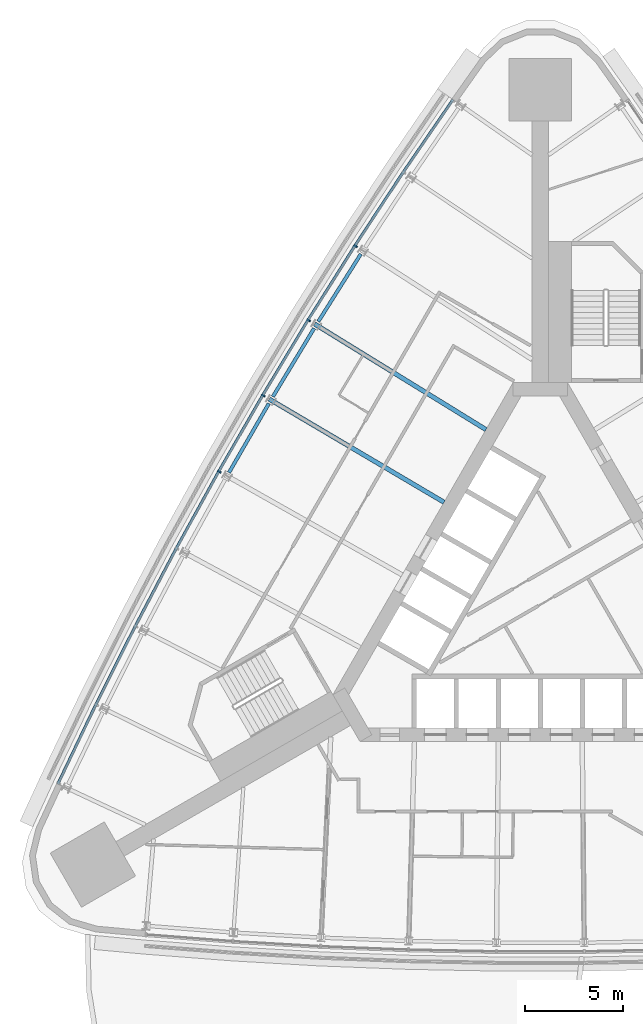
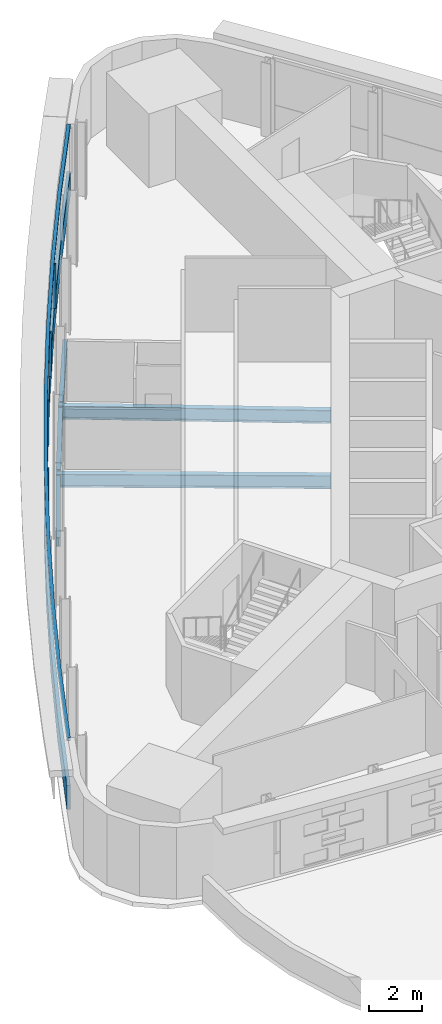
# One storey, part 6 of 15: 6 members, 5 beams, 1 element without a shape of its own.
"""IFC4 building model written with IfcOpenShell, lengths in metres."""

from ifc_helpers import new_model, si_unit, direction, frame, origin, origin_2d, place, context, subcontext, project, spatial, polyline, rectangle, i_section, outline, extrude, material, material_profile, profile_set, type_object, element, aggregate, save


model = new_model("IFC4")

# Units and contexts
model_context = context("Model", 3, precision=1e-05, world=origin(), true_north=direction((0.0, 1.0)))
body_context = subcontext(model_context, "Body", "Model", "MODEL_VIEW")
ifc_project = project(units=[si_unit("LENGTHUNIT", "METRE"), si_unit("AREAUNIT", "SQUARE_METRE"), si_unit("VOLUMEUNIT", "CUBIC_METRE"), si_unit("PLANEANGLEUNIT", "RADIAN"), si_unit("MASSUNIT", "GRAM", prefix="KILO")], contexts=[model_context])

# Site, building, storey
site_placement = place(None, origin())
site = spatial("IfcSite", under=ifc_project, at=site_placement, CompositionType="ELEMENT")
building_placement = place(site_placement, origin())
building = spatial("IfcBuilding", under=site, at=building_placement, Name="Noor Cloister Tower", CompositionType="ELEMENT")
storey_placement = place(building_placement, frame((0.0, 0.0, 69.0)))
storey = spatial("IfcBuildingStorey", under=building, at=storey_placement, Name="L17", CompositionType="ELEMENT", Elevation=69.0)

# Curtain wall, members
ifc_material_1 = material(Name="Aluminium 6063-T6 anodised", Category="aluminium")
curtain_wall_type = type_object("IfcCurtainWallType", Name="Ribbon curtain wall, lower tower CW1", PredefinedType="NOTDEFINED", material=ifc_material_1)
curtain_wall_placement = place(storey_placement, origin())
curtain_wall = element("IfcCurtainWall", 1, at=curtain_wall_placement, inside=storey, type_object=curtain_wall_type, Name="CW1 L17 NW run 1", PredefinedType="NOTDEFINED")
ifc_material_2 = material(Name="Aluminium 6063-T6 anodised", Category="aluminium")
member_type_1 = type_object("IfcMemberType", Name="Head transom CW1 150", PredefinedType="USERDEFINED", material=ifc_material_2)
member_1_placement = place(storey_placement, frame((0.0, 0.0, 3.14990234375)))
member_1 = element("IfcMember", 2, at=member_1_placement, type_object=member_type_1, Name="CW1 head transom", ObjectType="TRANSOM", PredefinedType="USERDEFINED", context=body_context, shape_type="SweptSolid", body=[
    extrude(outline(polyline([(-4.524169921875, 25.96533203125), (-7.06787109375, 22.25341796875), (-9.53955078125, 18.492919921875), (-11.938232421875, 14.685546875), (-14.262939453125, 10.832763671875), (-16.5126953125, 6.935546875), (-18.687255859375, 2.995849609375), (-20.78515625, -0.985107421875), (-22.805908203125, -5.005615234375), (-24.748779296875, -9.064697265625), (-24.62255859375, -9.125), (-22.68017578125, -5.0673828125), (-20.66064453125, -1.049072265625), (-18.56396484375, 2.929443359375), (-16.390869140625, 6.86669921875), (-14.142333984375, 10.761474609375), (-11.81884765625, 14.612060546875), (-9.421875, 18.417236328125), (-6.95166015625, 22.17529296875), (-4.40869140625, 25.88623046875), (-4.524169921875, 25.96533203125)])), origin(), (0.0, 0.0, 1.0), 0.150146484375),
])
ifc_material_3 = material(Name="Aluminium 6063-T6 anodised", Category="aluminium")
ifc_material_profile_1 = material_profile(ifc_material_3, rectangle(XDim=0.199951171875, YDim=0.080078125, at=origin_2d()), Name="200 x 80 mullion")
ifc_profile_set_1 = profile_set([ifc_material_profile_1], Name="Aluminium 6063-T6 anodised")
member_type_2 = type_object("IfcMemberType", Name="Mullion CW1 80 x 200", PredefinedType="MULLION", material=ifc_profile_set_1)
member_2_placement = place(storey_placement, frame((-9.455322265625, 18.43896484375, 1.10009765625), z_axis=(0.0, 0.0, 1.0), x_axis=(0.840912290577, -0.541171432687, 0.0)))
member_2 = element("IfcMember", 3, at=member_2_placement, type_object=member_type_2, Name="CW1 mullion 3", PredefinedType="MULLION", context=body_context, shape_type="SweptSolid", body=[
    extrude(rectangle(XDim=0.199951171875, YDim=0.080078125, at=origin_2d()), origin(), (0.0, 0.0, 1.0), 2.0498046875),
])
member_3_placement = place(storey_placement, frame((-11.85302734375, 14.633056640625, 1.10009765625), z_axis=(0.0, 0.0, 1.0), x_axis=(0.851195604462, -0.524848590496, 0.0)))
member_3 = element("IfcMember", 4, at=member_3_placement, type_object=member_type_2, Name="CW1 mullion 4", PredefinedType="MULLION", context=body_context, shape_type="SweptSolid", body=[
    extrude(rectangle(XDim=0.199951171875, YDim=0.080078125, at=origin_2d()), origin(), (0.0, 0.0, 1.0), 2.0498046875),
])
member_4_placement = place(storey_placement, frame((-14.1767578125, 10.78173828125, 1.10009765625), z_axis=(0.0, 0.0, 1.0), x_axis=(0.861162110029, -0.508330424282, 0.0)))
member_4 = element("IfcMember", 5, at=member_4_placement, type_object=member_type_2, Name="CW1 mullion 5", PredefinedType="MULLION", context=body_context, shape_type="SweptSolid", body=[
    extrude(rectangle(XDim=0.199951171875, YDim=0.080078125, at=origin_2d()), origin(), (0.0, 0.0, 1.0), 2.0498046875),
])
member_5_placement = place(storey_placement, frame((-16.42578125, 6.886474609375, 1.10009765625), z_axis=(0.0, 0.0, 1.0), x_axis=(0.870808115959, -0.49162305192, 0.0)))
member_5 = element("IfcMember", 6, at=member_5_placement, type_object=member_type_2, Name="CW1 mullion 6", PredefinedType="MULLION", context=body_context, shape_type="SweptSolid", body=[
    extrude(rectangle(XDim=0.199951171875, YDim=0.080078125, at=origin_2d()), origin(), (0.0, 0.0, 1.0), 2.0498046875),
])

# Beams
ifc_material_4 = material(Name="Steel ASTM A992 Gr 50", Category="steel")
ifc_material_profile_2 = material_profile(ifc_material_4, i_section(OverallWidth=0.22802734375, OverallDepth=0.60205078125, WebThickness=0.010498046875, FlangeThickness=0.014892578125, FilletRadius=0.0126953125, at=origin_2d()), Name="W610x101")
ifc_profile_set_2 = profile_set([ifc_material_profile_2], Name="Steel ASTM A992 Gr 50")
beam_type_1 = type_object("IfcBeamType", Name="Radial beam W610x101", PredefinedType="BEAM", material=ifc_profile_set_2)
beam_1_placement = place(storey_placement, frame((-11.552490234375, 14.44775390625, -0.5009765625), z_axis=(0.851198388975, -0.524844074565, 0.0), x_axis=(0.524844074565, 0.851198388975, 0.0)))
element("IfcBeam", 7, at=beam_1_placement, inside=storey, type_object=beam_type_1, Name="Radial beam NW 04 L17", PredefinedType="BEAM", context=body_context, shape_type="SweptSolid", body=[
    extrude(i_section(OverallWidth=0.22802734375, OverallDepth=0.60205078125, WebThickness=0.010498046875, FlangeThickness=0.014892578125, FilletRadius=0.0126953125, at=origin_2d()), origin(), (0.0, 0.0, 1.0), 10.304931640625),
])
beam_2_placement = place(storey_placement, frame((-13.872802734375, 10.6025390625, -0.5009765625), z_axis=(0.861158045586, -0.508337309789, 0.0), x_axis=(0.508337309789, 0.861158045586, 0.0)))
element("IfcBeam", 8, at=beam_2_placement, inside=storey, type_object=beam_type_1, Name="Radial beam NW 05 L17", PredefinedType="BEAM", context=body_context, shape_type="SweptSolid", body=[
    extrude(i_section(OverallWidth=0.22802734375, OverallDepth=0.60205078125, WebThickness=0.010498046875, FlangeThickness=0.014892578125, FilletRadius=0.0126953125, at=origin_2d()), origin(), (0.0, 0.0, 1.0), 10.387939453125),
])

# Member
ifc_material_5 = material(Name="Aluminium 6063-T6 anodised", Category="aluminium")
member_type_3 = type_object("IfcMemberType", Name="Sill transom CW1 1100", PredefinedType="USERDEFINED", material=ifc_material_5)
member_6_placement = place(storey_placement, origin())
member_6 = element("IfcMember", 9, at=member_6_placement, type_object=member_type_3, Name="CW1 sill transom", ObjectType="TRANSOM", PredefinedType="USERDEFINED", context=body_context, shape_type="SweptSolid", body=[
    extrude(outline(polyline([(-4.524169921875, 25.96533203125), (-7.06787109375, 22.25341796875), (-9.53955078125, 18.492919921875), (-11.938232421875, 14.685546875), (-14.262939453125, 10.832763671875), (-16.5126953125, 6.935546875), (-18.687255859375, 2.995849609375), (-20.78515625, -0.985107421875), (-22.805908203125, -5.005615234375), (-24.748779296875, -9.064697265625), (-24.62255859375, -9.125), (-22.68017578125, -5.0673828125), (-20.66064453125, -1.049072265625), (-18.56396484375, 2.929443359375), (-16.390869140625, 6.86669921875), (-14.142333984375, 10.761474609375), (-11.81884765625, 14.612060546875), (-9.421875, 18.417236328125), (-6.95166015625, 22.17529296875), (-4.40869140625, 25.88623046875), (-4.524169921875, 25.96533203125)])), origin(), (0.0, 0.0, 1.0), 1.10009765625),
])

aggregate(curtain_wall, [member_2, member_3, member_4, member_5, member_6, member_1])

# Beams
ifc_material_6 = material(Name="Steel ASTM A992 Gr 50", Category="steel")
ifc_material_profile_3 = material_profile(ifc_material_6, i_section(OverallWidth=0.177978515625, OverallDepth=0.406005859375, WebThickness=0.0078125, FlangeThickness=0.0126953125, FilletRadius=0.01025390625, at=origin_2d()), Name="W410x60")
ifc_profile_set_3 = profile_set([ifc_material_profile_3], Name="Steel ASTM A992 Gr 50")
beam_type_2 = type_object("IfcBeamType", Name="Spandrel beam W410x60", PredefinedType="SPANDREL", material=ifc_profile_set_3)
beam_3_placement = place(storey_placement, frame((-9.1845703125, 18.0244140625, -0.403076171875), z_axis=(-0.533057335155, -0.846079120081, 0.0), x_axis=(0.846079120081, -0.533057335155, 0.0)))
element("IfcBeam", 10, at=beam_3_placement, inside=storey, type_object=beam_type_2, Name="Spandrel beam NW 03 L17", PredefinedType="SPANDREL", context=body_context, shape_type="SweptSolid", body=[
    extrude(i_section(OverallWidth=0.177978515625, OverallDepth=0.406005859375, WebThickness=0.0078125, FlangeThickness=0.0126953125, FilletRadius=0.01025390625, at=origin_2d()), origin(), (0.0, 0.0, 1.0), 4.08544921875),
])
beam_4_placement = place(storey_placement, frame((-11.57421875, 14.223876953125, -0.403076171875), z_axis=(-0.516638531393, -0.856203613564, 0.0), x_axis=(0.856203613564, -0.516638531393, 0.0)))
element("IfcBeam", 11, at=beam_4_placement, inside=storey, type_object=beam_type_2, Name="Spandrel beam NW 04 L17", PredefinedType="SPANDREL", context=body_context, shape_type="SweptSolid", body=[
    extrude(i_section(OverallWidth=0.177978515625, OverallDepth=0.406005859375, WebThickness=0.0078125, FlangeThickness=0.0126953125, FilletRadius=0.01025390625, at=origin_2d()), origin(), (0.0, 0.0, 1.0), 4.085205078125),
])
beam_5_placement = place(storey_placement, frame((-13.89013671875, 10.378173828125, -0.403076171875), z_axis=(-0.500001788232, -0.866024371346, 0.0), x_axis=(0.866024371346, -0.500001788232, 0.0)))
element("IfcBeam", 12, at=beam_5_placement, inside=storey, type_object=beam_type_2, Name="Spandrel beam NW 05 L17", PredefinedType="SPANDREL", context=body_context, shape_type="SweptSolid", body=[
    extrude(i_section(OverallWidth=0.177978515625, OverallDepth=0.406005859375, WebThickness=0.0078125, FlangeThickness=0.0126953125, FilletRadius=0.01025390625, at=origin_2d()), origin(), (0.0, 0.0, 1.0), 4.08544921875),
])

save(model, "model.ifc")
